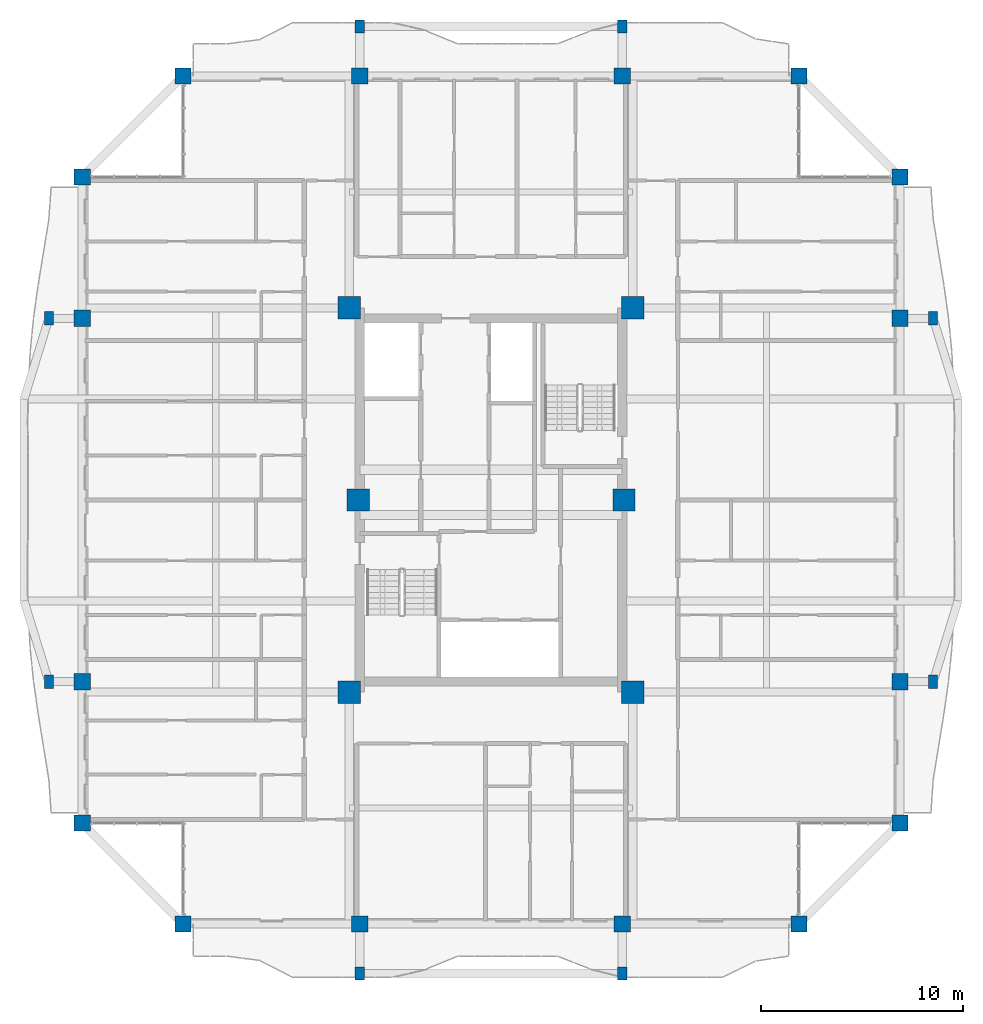
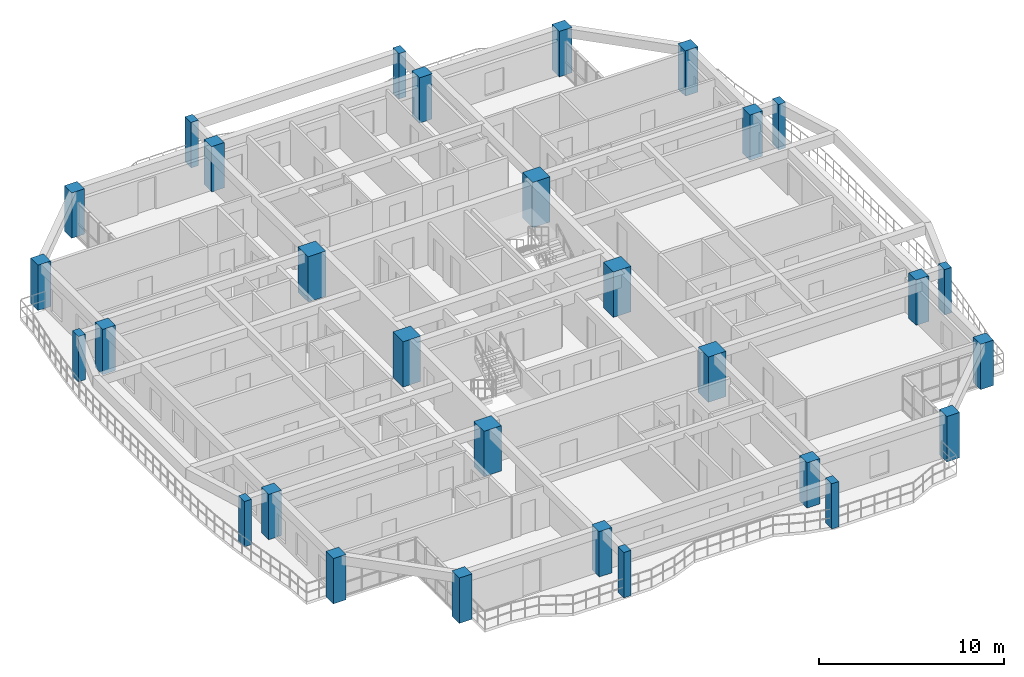
# One storey, part 1 of 21: 30 columns.
"""IFC4 building model written with IfcOpenShell, lengths in metres."""

from ifc_helpers import new_model, si_unit, direction, frame, origin, origin_2d, place, context, subcontext, project, spatial, rectangle, extrude, source, transform, mapped, material, material_profile, profile_set, type_object, element, save


model = new_model("IFC4")

# Units and contexts
model_context = context("Model", 3, precision=1e-05, world=origin(), true_north=direction((0.0, 1.0)))
body_context = subcontext(model_context, "Body", "Model", "MODEL_VIEW")
ifc_project = project(units=[si_unit("LENGTHUNIT", "METRE"), si_unit("AREAUNIT", "SQUARE_METRE"), si_unit("VOLUMEUNIT", "CUBIC_METRE"), si_unit("PLANEANGLEUNIT", "RADIAN"), si_unit("MASSUNIT", "GRAM", prefix="KILO")], contexts=[model_context])

# Site, building, storey
site_placement = place(None, origin())
site = spatial("IfcSite", under=ifc_project, at=site_placement, CompositionType="ELEMENT")
building_placement = place(site_placement, origin())
building = spatial("IfcBuilding", under=site, at=building_placement, Name="Saelheon Loggia Tower", CompositionType="ELEMENT")
storey_placement = place(building_placement, frame((0.0, 0.0, 186.699951171875)))
storey = spatial("IfcBuildingStorey", under=building, at=storey_placement, Name="L58", CompositionType="ELEMENT", Elevation=186.699951171875)

# Columns
ifc_material_1 = material(Name="Concrete C50/60", Category="concrete")
ifc_material_profile_1 = material_profile(ifc_material_1, rectangle(XDim=1.10009765625, YDim=1.10009765625, at=origin_2d()), Name="RC-1100x1100")
ifc_profile_set_1 = profile_set([ifc_material_profile_1], Name="Concrete C50/60")
column_type_1 = type_object("IfcColumnType", Name="Col_Core_RC1100", PredefinedType="COLUMN", material=ifc_profile_set_1)
shared_shape_1 = source(origin(), body_context, "Body", "SweptSolid", [
    extrude(rectangle(XDim=1.10009765625, YDim=1.10009765625, at=origin_2d()), origin(), (0.0, 0.0, 1.0), 3.0),
])
for number, where, z_axis, x_axis, name in (
    (1, (30.97998046875, 17.47998046875, 0.0), (0.0, 0.0, 1.0), (1.0, 0.0, 0.0), "L58 Core Column CR-SW"),
    (2, (45.02001953125, 17.47998046875, 0.0), (0.0, 0.0, 1.0), (1.0, 0.0, 0.0), "L58 Core Column CR-SE"),
    (3, (30.97998046875, 36.52001953125, 0.0), (0.0, 0.0, 1.0), (1.0, 0.0, 0.0), "L58 Core Column CR-NW"),
    (4, (45.02001953125, 36.52001953125, 0.0), (0.0, 0.0, 1.0), (1.0, 0.0, 0.0), "L58 Core Column CR-NE"),
    (5, (31.419921875, 27.0, 0.0), (0.0, 0.0, 1.0), (1.0, 0.0, 0.0), "L58 Core Column CR-MW"),
    (6, (44.580078125, 27.0, 0.0), (0.0, 0.0, 1.0), (1.0, 0.0, 0.0), "L58 Core Column CR-ME"),
):
    element("IfcColumn", number, at=place(storey_placement, frame(where, z_axis=z_axis, x_axis=x_axis)), inside=storey, type_object=column_type_1, Name=name, PredefinedType="COLUMN", context=body_context, shape_type="MappedRepresentation", body=[
        mapped(shared_shape_1, transform((0.0, 0.0, 0.0), scale=1.0)),
    ])
ifc_material_2 = material(Name="Concrete C45/55", Category="concrete")
ifc_material_profile_2 = material_profile(ifc_material_2, rectangle(XDim=0.800048828125, YDim=0.800048828125, at=origin_2d()), Name="RC-800x800")
ifc_profile_set_2 = profile_set([ifc_material_profile_2], Name="Concrete C45/55")
column_type_2 = type_object("IfcColumnType", Name="Col_Perim_RC800", PredefinedType="COLUMN", material=ifc_profile_set_2)
shared_shape_2 = source(origin(), body_context, "Body", "SweptSolid", [
    extrude(rectangle(XDim=0.800048828125, YDim=0.800048828125, at=origin_2d()), origin(), (0.0, 0.0, 1.0), 3.0),
])
for number, where, z_axis, x_axis, name in (
    (7, (22.75, 6.0, 0.0), (0.0, 0.0, 1.0), (1.0, 0.0, 0.0), "L58 Perimeter Column TP-S1"),
    (8, (31.5, 6.0, 0.0), (0.0, 0.0, 1.0), (1.0, 0.0, 0.0), "L58 Perimeter Column TP-SA"),
    (9, (44.5, 6.0, 0.0), (0.0, 0.0, 1.0), (1.0, 0.0, 0.0), "L58 Perimeter Column TP-SB"),
    (10, (53.25, 6.0, 0.0), (0.0, 0.0, 1.0), (1.0, 0.0, 0.0), "L58 Perimeter Column TP-S2"),
    (11, (58.25, 11.0, 0.0), (0.0, 0.0, 1.0), (1.0, 0.0, 0.0), "L58 Perimeter Column TP-E1"),
    (12, (58.25, 18.0, 0.0), (0.0, 0.0, 1.0), (1.0, 0.0, 0.0), "L58 Perimeter Column TP-EA"),
    (13, (58.25, 36.0, 0.0), (0.0, 0.0, 1.0), (1.0, 0.0, 0.0), "L58 Perimeter Column TP-EB"),
    (14, (58.25, 43.0, 0.0), (0.0, 0.0, 1.0), (1.0, 0.0, 0.0), "L58 Perimeter Column TP-E2"),
    (15, (53.25, 48.0, 0.0), (0.0, 0.0, 1.0), (1.0, 0.0, 0.0), "L58 Perimeter Column TP-N2"),
    (16, (44.5, 48.0, 0.0), (0.0, 0.0, 1.0), (1.0, 0.0, 0.0), "L58 Perimeter Column TP-NB"),
    (17, (31.5, 48.0, 0.0), (0.0, 0.0, 1.0), (1.0, 0.0, 0.0), "L58 Perimeter Column TP-NA"),
    (18, (22.75, 48.0, 0.0), (0.0, 0.0, 1.0), (1.0, 0.0, 0.0), "L58 Perimeter Column TP-N1"),
    (19, (17.75, 43.0, 0.0), (0.0, 0.0, 1.0), (1.0, 0.0, 0.0), "L58 Perimeter Column TP-W2"),
    (20, (17.75, 36.0, 0.0), (0.0, 0.0, 1.0), (1.0, 0.0, 0.0), "L58 Perimeter Column TP-WB"),
    (21, (17.75, 18.0, 0.0), (0.0, 0.0, 1.0), (1.0, 0.0, 0.0), "L58 Perimeter Column TP-WA"),
    (22, (17.75, 11.0, 0.0), (0.0, 0.0, 1.0), (1.0, 0.0, 0.0), "L58 Perimeter Column TP-W1"),
):
    element("IfcColumn", number, at=place(storey_placement, frame(where, z_axis=z_axis, x_axis=x_axis)), inside=storey, type_object=column_type_2, Name=name, PredefinedType="COLUMN", context=body_context, shape_type="MappedRepresentation", body=[
        mapped(shared_shape_2, transform((0.0, 0.0, 0.0), scale=1.0)),
    ])
ifc_material_3 = material(Name="Precast Concrete C45/55", Category="concrete")
ifc_material_profile_3 = material_profile(ifc_material_3, rectangle(XDim=0.449951171875, YDim=0.64990234375, at=origin_2d()), Name="RC-450x650")
ifc_profile_set_3 = profile_set([ifc_material_profile_3], Name="Precast Concrete C45/55")
column_type_3 = type_object("IfcColumnType", Name="Col_Loggia_Pilaster_650", PredefinedType="PILASTER", material=ifc_profile_set_3)
shared_shape_3 = source(origin(), body_context, "Body", "SweptSolid", [
    extrude(rectangle(XDim=0.449951171875, YDim=0.64990234375, at=origin_2d()), origin(), (0.0, 0.0, 1.0), 3.0),
])
for number, where, z_axis, x_axis, name in (
    (23, (31.5, 3.550048828125, 0.0), (0.0, 0.0, 1.0), (1.0, 0.0, 0.0), "L58 Loggia Frame Pilaster LP-S1"),
    (24, (44.5, 3.550048828125, 0.0), (0.0, 0.0, 1.0), (1.0, 0.0, 0.0), "L58 Loggia Frame Pilaster LP-S2"),
    (25, (31.5, 50.449951171875, 0.0), (0.0, 0.0, 1.0), (1.0, 0.0, 0.0), "L58 Loggia Frame Pilaster LP-N1"),
    (26, (44.5, 50.449951171875, 0.0), (0.0, 0.0, 1.0), (1.0, 0.0, 0.0), "L58 Loggia Frame Pilaster LP-N2"),
    (27, (59.89990234375, 18.0, 0.0), (0.0, 0.0, 1.0), (1.0, 0.0, 0.0), "L58 Loggia Frame Pilaster LP-E1"),
    (28, (59.89990234375, 36.0, 0.0), (0.0, 0.0, 1.0), (1.0, 0.0, 0.0), "L58 Loggia Frame Pilaster LP-E2"),
    (29, (16.10009765625, 18.0, 0.0), (0.0, 0.0, 1.0), (1.0, 0.0, 0.0), "L58 Loggia Frame Pilaster LP-W1"),
    (30, (16.10009765625, 36.0, 0.0), (0.0, 0.0, 1.0), (1.0, 0.0, 0.0), "L58 Loggia Frame Pilaster LP-W2"),
):
    element("IfcColumn", number, at=place(storey_placement, frame(where, z_axis=z_axis, x_axis=x_axis)), inside=storey, type_object=column_type_3, Name=name, PredefinedType="PILASTER", context=body_context, shape_type="MappedRepresentation", body=[
        mapped(shared_shape_3, transform((0.0, 0.0, 0.0), scale=1.0)),
    ])

save(model, "model.ifc")
